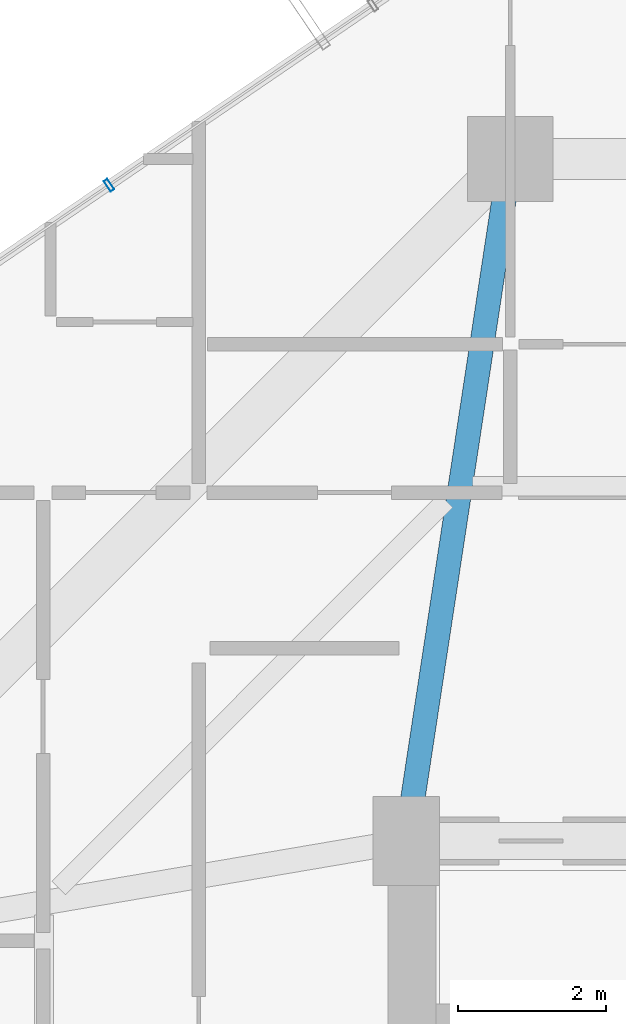
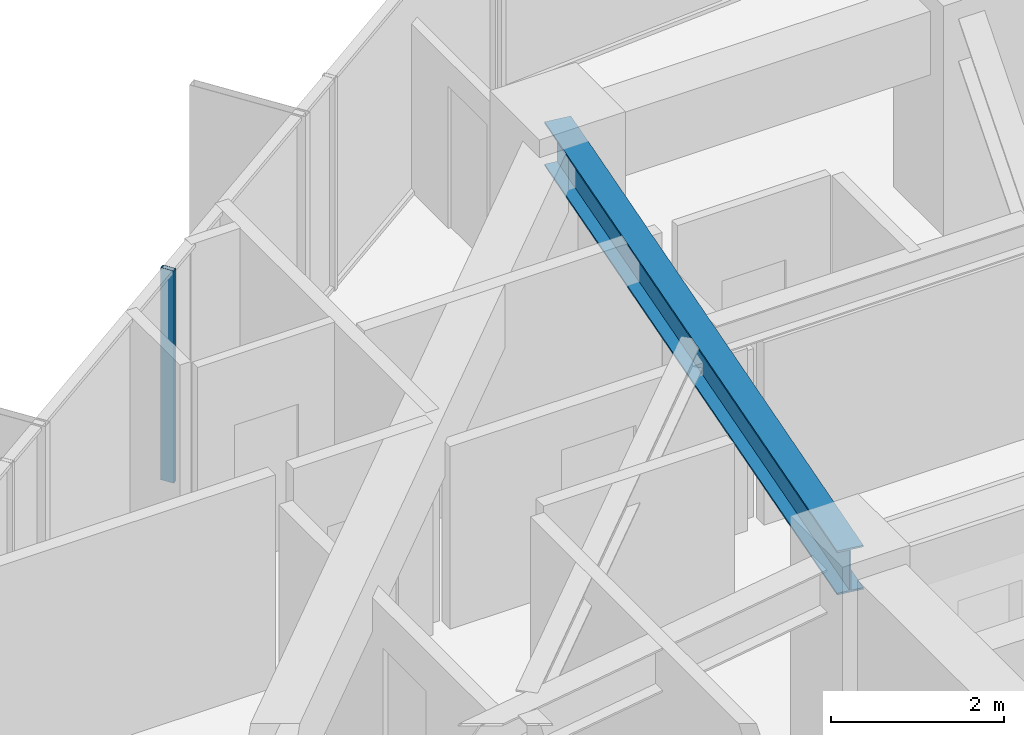
# One storey, part 21 of 35: 1 beam, 1 member, 1 element without a shape of its own.
"""IFC4 building model written with IfcOpenShell, lengths in metres."""

from ifc_helpers import new_model, si_unit, direction, frame, origin, origin_2d, place, context, subcontext, project, spatial, hollow_rectangle, i_section, extrude, source, transform, mapped, material, layer, layer_set, material_profile, profile_set, type_object, element, aggregate, save


model = new_model("IFC4")

# Units and contexts
model_context = context("Model", 3, precision=1e-05, world=origin(), true_north=direction((0.0, 1.0)))
body_context = subcontext(model_context, "Body", "Model", "MODEL_VIEW")
ifc_project = project(units=[si_unit("LENGTHUNIT", "METRE"), si_unit("AREAUNIT", "SQUARE_METRE"), si_unit("VOLUMEUNIT", "CUBIC_METRE"), si_unit("PLANEANGLEUNIT", "RADIAN"), si_unit("MASSUNIT", "GRAM", prefix="KILO")], contexts=[model_context])

# Site, building, storey
site_placement = place(None, origin())
site = spatial("IfcSite", under=ifc_project, at=site_placement, CompositionType="ELEMENT")
building_placement = place(site_placement, origin())
building = spatial("IfcBuilding", under=site, at=building_placement, Name="Veraguas Prism Commons", CompositionType="ELEMENT")
storey_placement = place(building_placement, frame((0.0, 0.0, 142.5)))
storey = spatial("IfcBuildingStorey", under=building, at=storey_placement, Name="L40", CompositionType="ELEMENT", Elevation=142.5)

# Beam
ifc_material_1 = material(Name="Steel ASTM A992 Grade 50", Category="steel")
ifc_material_profile_1 = material_profile(ifc_material_1, i_section(OverallWidth=0.327880859375, OverallDepth=0.6220703125, WebThickness=0.015380859375, FlangeThickness=0.0244140625, at=origin_2d()), Name="W610X195")
ifc_profile_set_1 = profile_set([ifc_material_profile_1], Name="Steel ASTM A992 Grade 50")
beam_type = type_object("IfcBeamType", Name="Zone 2 Radial Girder W610x195", PredefinedType="BEAM", material=ifc_profile_set_1)
beam_placement = place(storey_placement, frame((18.60009765625, 40.199951171875, 2.68896484375), z_axis=(-0.150458162136, -0.98861637729, 0.0), x_axis=(0.98861637729, -0.150458162136, 0.0)))
element("IfcBeam", 1, at=beam_placement, inside=storey, type_object=beam_type, Name="Radial Floor Girder L40-RD06", PredefinedType="BEAM", context=body_context, shape_type="SweptSolid", body=[
    extrude(i_section(OverallWidth=0.327880859375, OverallDepth=0.6220703125, WebThickness=0.015380859375, FlangeThickness=0.0244140625, at=origin_2d()), origin(), (0.0, 0.0, 1.0), 9.305908203125),
])

# Curtain wall, member
ifc_material_2 = material(Name="Anodised aluminium EN AW-6063 T6", Category="aluminium")
ifc_layer = layer(ifc_material_2, 0.169921875, Name="Unitised Flush Curtain Wall Zone 2", Category="aluminium")
ifc_layer_set = layer_set([ifc_layer], Name="Anodised aluminium EN AW-6063 T6")
curtain_wall_type = type_object("IfcCurtainWallType", Name="Unitised Flush Curtain Wall Zone 2", PredefinedType="NOTDEFINED", material=ifc_layer_set)
curtain_wall_placement = place(storey_placement, origin())
curtain_wall = element("IfcCurtainWall", 2, at=curtain_wall_placement, inside=storey, type_object=curtain_wall_type, Name="Tower Facade Curtain Wall L40-F2", PredefinedType="NOTDEFINED")
ifc_material_profile_2 = material_profile(ifc_material_2, hollow_rectangle(XDim=0.06005859375, YDim=0.169921875, WallThickness=0.00390625, at=origin_2d()), Name="AL60X170X4")
ifc_profile_set_2 = profile_set([ifc_material_profile_2], Name="Anodised aluminium EN AW-6063 T6")
member_type = type_object("IfcMemberType", Name="Curtain Wall Mullion Lower AL 60x170x4", PredefinedType="MULLION", material=ifc_profile_set_2)
shared_shape = source(origin(), body_context, "Body", "SweptSolid", [
    extrude(hollow_rectangle(XDim=0.06005859375, YDim=0.169921875, WallThickness=0.00390625, at=origin_2d()), origin(), (0.0, 0.0, 1.0), 3.0),
])
member_placement = place(storey_placement, frame((13.190185546875, 39.8466796875, 0.0), z_axis=(0.0, 0.0, 1.0), x_axis=(-0.826097310956, -0.56352749075, 0.0)))
member = element("IfcMember", 3, at=member_placement, type_object=member_type, Name="CW-Z2 Mullion 3", PredefinedType="MULLION", context=body_context, shape_type="MappedRepresentation", body=[
    mapped(shared_shape, transform((0.0, 0.0, 0.0), scale=1.0)),
])
aggregate(curtain_wall, [member])

save(model, "model.ifc")
